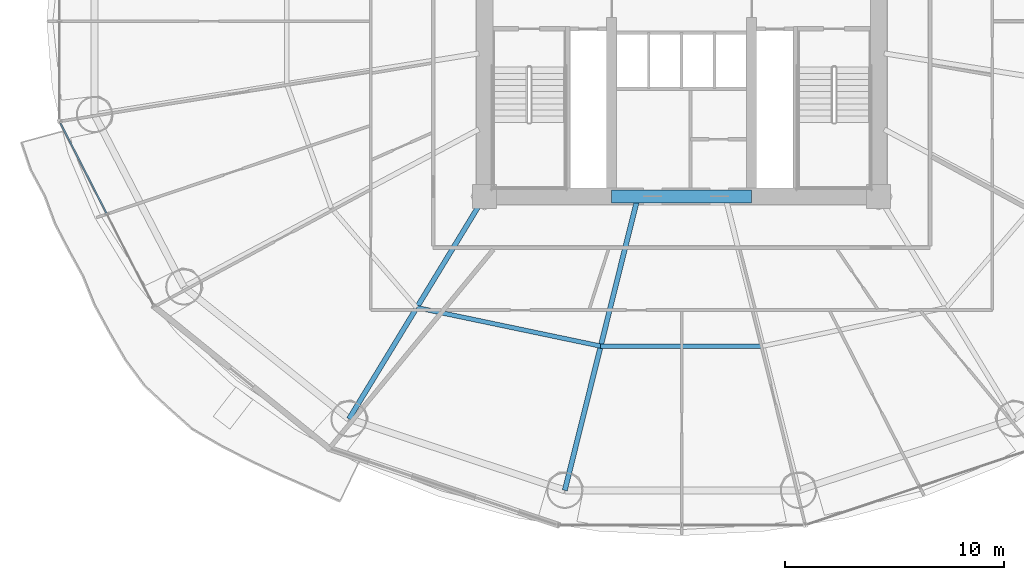
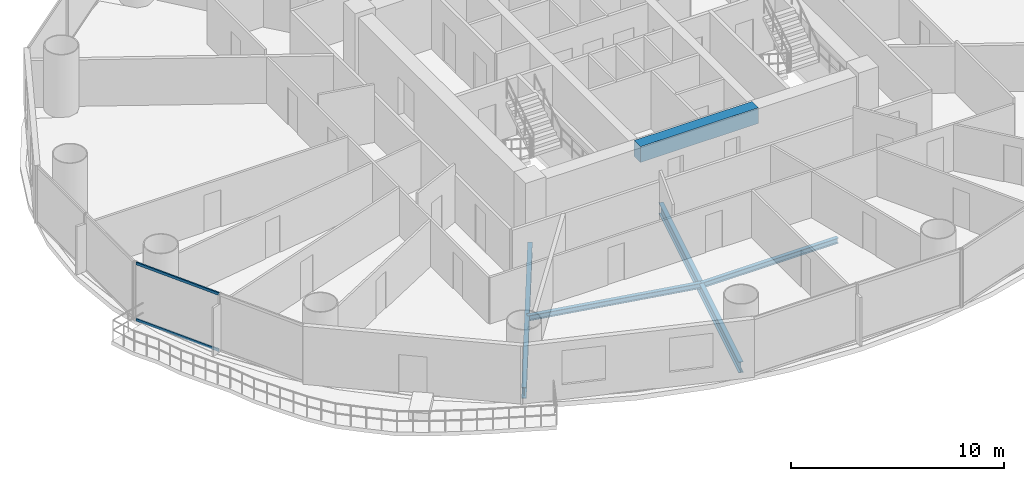
# One storey, part 5 of 29: 5 beams, 2 members, 1 element without a shape of its own.
"""IFC4 building model written with IfcOpenShell, lengths in metres."""

from ifc_helpers import new_model, si_unit, direction, frame, origin, origin_2d, place, context, subcontext, project, spatial, rectangle, hollow_rectangle, i_section, extrude, source, transform, mapped, material, material_profile, profile_set, type_object, element, aggregate, save


model = new_model("IFC4")

# Units and contexts
model_context = context("Model", 3, precision=1e-05, world=origin(), true_north=direction((-0.2419218956, 0.970295726276)))
body_context = subcontext(model_context, "Body", "Model", "MODEL_VIEW")
ifc_project = project(units=[si_unit("LENGTHUNIT", "METRE"), si_unit("AREAUNIT", "SQUARE_METRE"), si_unit("VOLUMEUNIT", "CUBIC_METRE"), si_unit("PLANEANGLEUNIT", "RADIAN"), si_unit("MASSUNIT", "GRAM", prefix="KILO")], contexts=[model_context])

# Site, building, storey
site_placement = place(None, origin())
site = spatial("IfcSite", under=ifc_project, at=site_placement, CompositionType="ELEMENT")
building_placement = place(site_placement, origin())
building = spatial("IfcBuilding", under=site, at=building_placement, Name="Cobrevalo Terracotta Tower", CompositionType="ELEMENT")
storey_placement = place(building_placement, frame((0.0, 0.0, 52.800048828125)))
storey = spatial("IfcBuildingStorey", under=building, at=storey_placement, Name="L13", CompositionType="ELEMENT", Elevation=52.800048828125)

# Beams
ifc_material_1 = material(Name="Concrete C60", Category="concrete")
ifc_material_profile_1 = material_profile(ifc_material_1, rectangle(XDim=0.60009765625, YDim=0.89990234375, at=origin_2d()), Name="RC CB 600x900")
ifc_profile_set_1 = profile_set([ifc_material_profile_1], Name="Concrete C60")
beam_type_1 = type_object("IfcBeamType", Name="Structural Beam RC CB 600x900 (Concrete C60)", PredefinedType="BEAM", material=ifc_profile_set_1)
beam_1_placement = place(storey_placement, frame((34.800048828125, 18.800048828125, 2.869873046875), z_axis=(1.0, 0.0, 0.0), x_axis=(0.0, 1.0, 0.0)))
element("IfcBeam", 1, at=beam_1_placement, inside=storey, type_object=beam_type_1, Name="L13 core coupling beam 1", PredefinedType="BEAM", context=body_context, shape_type="SweptSolid", body=[
    extrude(rectangle(XDim=0.60009765625, YDim=0.89990234375, at=origin_2d()), origin(), (0.0, 0.0, 1.0), 6.39990234375),
])
ifc_material_2 = material(Name="Steel S355", Category="steel")
ifc_material_profile_2 = material_profile(ifc_material_2, i_section(OverallWidth=0.22998046875, OverallDepth=0.616943359375, WebThickness=0.01318359375, FlangeThickness=0.022216796875, at=origin_2d()), Name="W 610x140")
ifc_profile_set_2 = profile_set([ifc_material_profile_2], Name="Steel S355")
beam_type_2 = type_object("IfcBeamType", Name="Structural Beam W 610x140 (Steel S355)", PredefinedType="BEAM", material=ifc_profile_set_2)
beam_2_placement = place(storey_placement, frame((22.80517578125, 8.63232421875, -0.588623046875), z_axis=(0.520300780853, 0.853983077961, 0.0), x_axis=(-0.853983077961, 0.520300780853, 0.0)))
element("IfcBeam", 2, at=beam_2_placement, inside=storey, type_object=beam_type_2, Name="L13 radial floor girder 11", PredefinedType="BEAM", context=body_context, shape_type="SweptSolid", body=[
    extrude(i_section(OverallWidth=0.22998046875, OverallDepth=0.616943359375, WebThickness=0.01318359375, FlangeThickness=0.022216796875, at=origin_2d()), origin(), (0.0, 0.0, 1.0), 11.90625),
])
beam_3_placement = place(storey_placement, frame((32.664306640625, 5.369873046875, -0.588623046875), z_axis=(0.241600470374, 0.970375810042, 0.0), x_axis=(-0.970375810042, 0.241600470374, 0.0)))
element("IfcBeam", 3, at=beam_3_placement, inside=storey, type_object=beam_type_2, Name="L13 radial floor girder 12", PredefinedType="BEAM", context=body_context, shape_type="SweptSolid", body=[
    extrude(i_section(OverallWidth=0.22998046875, OverallDepth=0.616943359375, WebThickness=0.01318359375, FlangeThickness=0.022216796875, at=origin_2d()), origin(), (0.0, 0.0, 1.0), 13.5771484375),
])
ifc_material_profile_3 = material_profile(ifc_material_2, i_section(OverallWidth=0.2041015625, OverallDepth=0.305908203125, WebThickness=0.008544921875, FlangeThickness=0.0146484375, at=origin_2d()), Name="W 310x67")
ifc_profile_set_3 = profile_set([ifc_material_profile_3], Name="Steel S355")
beam_type_3 = type_object("IfcBeamType", Name="Structural Joist W 310x67 (Steel S355)", PredefinedType="JOIST", material=ifc_profile_set_3)
beam_4_placement = place(storey_placement, frame((25.902587890625, 13.71630859375, -0.43310546875), z_axis=(0.978784523904, -0.204892302848, 0.0), x_axis=(0.204892302848, 0.978784523904, 0.0)))
element("IfcBeam", 4, at=beam_4_placement, inside=storey, type_object=beam_type_3, Name="L13 circumferential secondary floor joist 11", PredefinedType="JOIST", context=body_context, shape_type="SweptSolid", body=[
    extrude(i_section(OverallWidth=0.2041015625, OverallDepth=0.305908203125, WebThickness=0.008544921875, FlangeThickness=0.0146484375, at=origin_2d()), origin(), (0.0, 0.0, 1.0), 8.583984375),
])
beam_5_placement = place(storey_placement, frame((34.304443359375, 11.95751953125, -0.43310546875), z_axis=(1.0, 0.0, 0.0), x_axis=(0.0, 1.0, 0.0)))
element("IfcBeam", 5, at=beam_5_placement, inside=storey, type_object=beam_type_3, Name="L13 circumferential secondary floor joist 12", PredefinedType="JOIST", context=body_context, shape_type="SweptSolid", body=[
    extrude(i_section(OverallWidth=0.2041015625, OverallDepth=0.305908203125, WebThickness=0.008544921875, FlangeThickness=0.0146484375, at=origin_2d()), origin(), (0.0, 0.0, 1.0), 7.39111328125),
])

# Curtain wall, members
ifc_material_3 = material(Name="Anodized aluminium", Category="aluminium")
curtain_wall_type = type_object("IfcCurtainWallType", Name="Lower-tower unitised acoustic low-E curtain wall CW-U1", PredefinedType="NOTDEFINED", material=ifc_material_3)
curtain_wall_placement = place(storey_placement, origin())
curtain_wall = element("IfcCurtainWall", 6, at=curtain_wall_placement, inside=storey, type_object=curtain_wall_type, Name="L13 curtain wall CW-L13-S09", PredefinedType="NOTDEFINED")
ifc_material_profile_4 = material_profile(ifc_material_3, hollow_rectangle(XDim=0.074951171875, YDim=0.14990234375, WallThickness=0.00439453125, at=origin_2d()), Name="CWT 75x150")
ifc_profile_set_4 = profile_set([ifc_material_profile_4], Name="Anodized aluminium")
member_type = type_object("IfcMemberType", Name="Tower unitised aluminium transom 75x150", PredefinedType="USERDEFINED", material=ifc_profile_set_4)
shared_shape = source(origin(), body_context, "Body", "SweptSolid", [
    extrude(hollow_rectangle(XDim=0.074951171875, YDim=0.14990234375, WallThickness=0.00439453125, at=origin_2d()), origin(), (0.0, 0.0, 1.0), 4.630859375),
])
member_1_placement = place(storey_placement, frame((9.623046875, 22.14990234375, 0.050048828125), z_axis=(0.455229952508, -0.890373904795, 0.0), x_axis=(0.890373904795, 0.455229952508, 0.0)))
member_1 = element("IfcMember", 7, at=member_1_placement, type_object=member_type, Name="CW-L13-S09 transom B01-T1", ObjectType="TRANSOM", PredefinedType="USERDEFINED", context=body_context, shape_type="MappedRepresentation", body=[
    mapped(shared_shape, transform((0.0, 0.0, 0.0), scale=1.0)),
])
member_2_placement = place(storey_placement, frame((9.623046875, 22.14990234375, 3.27001953125), z_axis=(0.455229952508, -0.890373904795, 0.0), x_axis=(0.890373904795, 0.455229952508, 0.0)))
member_2 = element("IfcMember", 8, at=member_2_placement, type_object=member_type, Name="CW-L13-S09 transom B01-T2", ObjectType="TRANSOM", PredefinedType="USERDEFINED", context=body_context, shape_type="MappedRepresentation", body=[
    mapped(shared_shape, transform((0.0, 0.0, 0.0), scale=1.0)),
])
aggregate(curtain_wall, [member_1, member_2])

save(model, "model.ifc")
